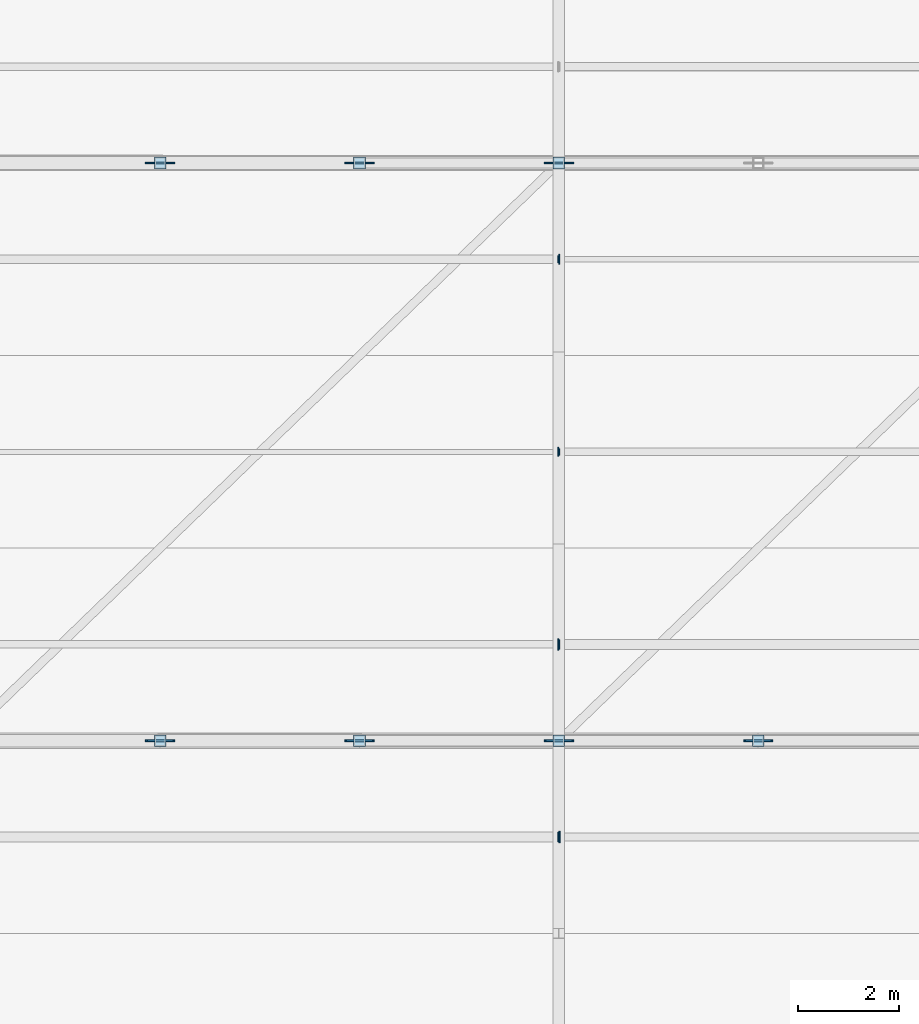
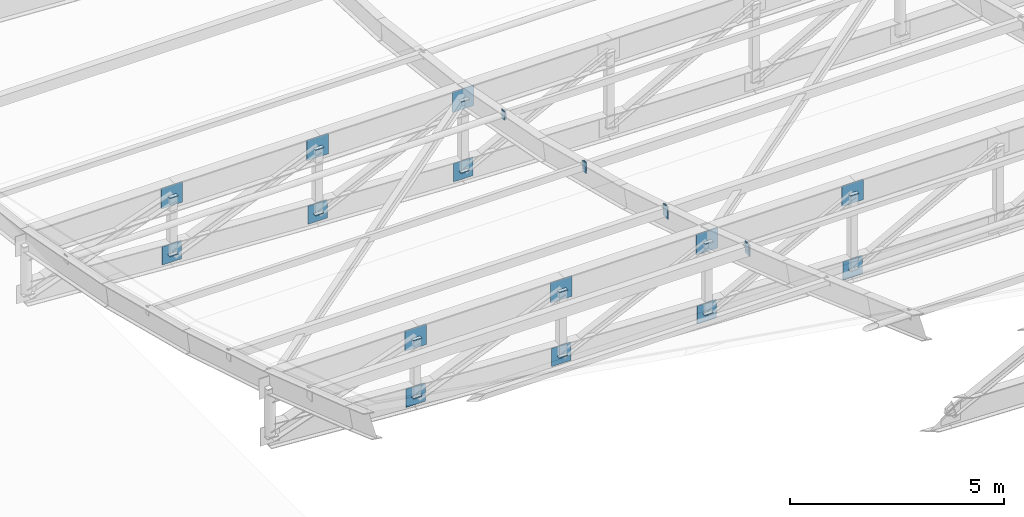
# One storey, part 44 of 65: 36 plates.
"""IFC4 building model written with IfcOpenShell, lengths in metres."""

from ifc_helpers import new_model, si_unit, direction, frame, origin, origin_2d, place, context, subcontext, project, spatial, rectangle, extrude, material, layer, layer_set, type_object, element, save


model = new_model("IFC4")

# Units and contexts
model_context = context("Model", 3, precision=1e-05, world=origin(), true_north=direction((0.0, 1.0)))
body_context = subcontext(model_context, "Body", "Model", "MODEL_VIEW")
ifc_project = project(units=[si_unit("LENGTHUNIT", "METRE"), si_unit("AREAUNIT", "SQUARE_METRE"), si_unit("VOLUMEUNIT", "CUBIC_METRE"), si_unit("PLANEANGLEUNIT", "RADIAN"), si_unit("MASSUNIT", "GRAM", prefix="KILO"), si_unit("POWERUNIT", "WATT"), si_unit("THERMODYNAMICTEMPERATUREUNIT", "KELVIN")], contexts=[model_context])

# Site, building, storey
site_placement = place(None, origin())
site = spatial("IfcSite", under=ifc_project, at=site_placement, CompositionType="ELEMENT")
building_placement = place(site_placement, origin())
building = spatial("IfcBuilding", under=site, at=building_placement, Name="Kelmbourne Parkland Aquatics Centre", CompositionType="ELEMENT")
storey_placement = place(building_placement, frame((0.0, 0.0, 27.0)))
storey = spatial("IfcBuildingStorey", under=building, at=storey_placement, Name="RF", CompositionType="ELEMENT", Elevation=27.0)

# Plates
ifc_material = material(Name="Welded plate steel AS/NZS 3678 Grade 350", Category="steel")
ifc_layer_1 = layer(ifc_material, 0.02001953125)
ifc_layer_set_1 = layer_set([ifc_layer_1], Name="Welded plate steel AS/NZS 3678 Grade 350")
plate_type_1 = type_object("IfcPlateType", Name="PL-CAP-20", PredefinedType="USERDEFINED", material=ifc_layer_set_1)
for number, where, z_axis, x_axis, name in (
    (1, (131.933349609375, 35.0, -11.225341796875), (0.0, 0.0, 1.0), (1.0, 0.0, 0.0), "Hollow end cap plate CAP-0095"),
    (2, (131.933349609375, 35.0, -9.567626953125), (0.0, 0.0, 1.0), (1.0, 0.0, 0.0), "Hollow end cap plate CAP-0096"),
    (3, (135.86669921875, 35.0, -11.43798828125), (0.0, 0.0, 1.0), (1.0, 0.0, 0.0), "Hollow end cap plate CAP-0097"),
    (4, (135.86669921875, 35.0, -9.567626953125), (0.0, 0.0, 1.0), (1.0, 0.0, 0.0), "Hollow end cap plate CAP-0098"),
    (5, (139.800048828125, 35.0, -11.603271484375), (0.0, 0.0, 1.0), (1.0, 0.0, 0.0), "Hollow end cap plate CAP-0099"),
    (6, (139.800048828125, 35.0, -9.567626953125), (0.0, 0.0, 1.0), (1.0, 0.0, 0.0), "Hollow end cap plate CAP-0100"),
    (7, (143.7333984375, 35.0, -11.72119140625), (0.0, 0.0, 1.0), (1.0, 0.0, 0.0), "Hollow end cap plate CAP-0101"),
    (8, (143.7333984375, 35.0, -9.567626953125), (0.0, 0.0, 1.0), (1.0, 0.0, 0.0), "Hollow end cap plate CAP-0102"),
    (9, (131.933349609375, 46.39990234375, -14.07470703125), (0.0, 0.0, 1.0), (1.0, 0.0, 0.0), "Hollow end cap plate CAP-0121"),
    (10, (131.933349609375, 46.39990234375, -12.4169921875), (0.0, 0.0, 1.0), (1.0, 0.0, 0.0), "Hollow end cap plate CAP-0122"),
    (11, (135.86669921875, 46.39990234375, -14.287109375), (0.0, 0.0, 1.0), (1.0, 0.0, 0.0), "Hollow end cap plate CAP-0123"),
    (12, (135.86669921875, 46.39990234375, -12.4169921875), (0.0, 0.0, 1.0), (1.0, 0.0, 0.0), "Hollow end cap plate CAP-0124"),
    (13, (139.800048828125, 46.39990234375, -14.452392578125), (0.0, 0.0, 1.0), (1.0, 0.0, 0.0), "Hollow end cap plate CAP-0125"),
    (14, (139.800048828125, 46.39990234375, -12.4169921875), (0.0, 0.0, 1.0), (1.0, 0.0, 0.0), "Hollow end cap plate CAP-0126"),
):
    element("IfcPlate", number, at=place(storey_placement, frame(where, z_axis=z_axis, x_axis=x_axis)), inside=storey, type_object=plate_type_1, Name=name, ObjectType="END CAP PLATE", PredefinedType="USERDEFINED", context=body_context, shape_type="SweptSolid", body=[
        extrude(rectangle(XDim=0.22998046875, YDim=0.22998046875, at=origin_2d()), origin(), (0.0, 0.0, 1.0), 0.02001953125),
    ])
plate_1_placement = place(storey_placement, frame((139.791015625, 33.10009765625, -8.6572265625), z_axis=(0.0, 0.0, 1.0), x_axis=(-1.0, 0.0, 0.0)))
element("IfcPlate", 15, at=plate_1_placement, inside=storey, type_object=plate_type_1, Name="Hollow end cap plate CAP-0367", ObjectType="END CAP PLATE", PredefinedType="USERDEFINED", context=body_context, shape_type="SweptSolid", body=[
    extrude(rectangle(XDim=0.02001953125, YDim=0.179931640625, at=origin_2d()), origin(), (0.0, 0.0, 1.0), 0.179931640625),
])
plate_2_placement = place(storey_placement, frame((139.80908203125, 36.89990234375, -9.97998046875), z_axis=(0.0, 0.0, 1.0), x_axis=(1.0, 0.0, 0.0)))
element("IfcPlate", 16, at=plate_2_placement, inside=storey, type_object=plate_type_1, Name="Hollow end cap plate CAP-0374", ObjectType="END CAP PLATE", PredefinedType="USERDEFINED", context=body_context, shape_type="SweptSolid", body=[
    extrude(rectangle(XDim=0.02001953125, YDim=0.179931640625, at=origin_2d()), origin(), (0.0, 0.0, 1.0), 0.280029296875),
])
plate_3_placement = place(storey_placement, frame((139.80908203125, 40.699951171875, -10.9912109375), z_axis=(0.0, 0.0, 1.0), x_axis=(1.0, 0.0, 0.0)))
element("IfcPlate", 17, at=plate_3_placement, inside=storey, type_object=plate_type_1, Name="Hollow end cap plate CAP-0382", ObjectType="END CAP PLATE", PredefinedType="USERDEFINED", context=body_context, shape_type="SweptSolid", body=[
    extrude(rectangle(XDim=0.02001953125, YDim=0.1298828125, at=origin_2d()), origin(), (0.0, 0.0, 1.0), 0.22998046875),
])
plate_4_placement = place(storey_placement, frame((139.791015625, 40.699951171875, -11.04150390625), z_axis=(0.0, 0.0, 1.0), x_axis=(-1.0, 0.0, 0.0)))
element("IfcPlate", 18, at=plate_4_placement, inside=storey, type_object=plate_type_1, Name="Hollow end cap plate CAP-0383", ObjectType="END CAP PLATE", PredefinedType="USERDEFINED", context=body_context, shape_type="SweptSolid", body=[
    extrude(rectangle(XDim=0.02001953125, YDim=0.179931640625, at=origin_2d()), origin(), (0.0, 0.0, 1.0), 0.280029296875),
])
plate_5_placement = place(storey_placement, frame((139.80908203125, 44.5, -11.805908203125), z_axis=(0.0, 0.0, 1.0), x_axis=(1.0, 0.0, 0.0)))
element("IfcPlate", 19, at=plate_5_placement, inside=storey, type_object=plate_type_1, Name="Hollow end cap plate CAP-0390", ObjectType="END CAP PLATE", PredefinedType="USERDEFINED", context=body_context, shape_type="SweptSolid", body=[
    extrude(rectangle(XDim=0.02001953125, YDim=0.1982421875, at=origin_2d()), origin(), (0.0, 0.0, 1.0), 0.1982421875),
])
plate_6_placement = place(storey_placement, frame((139.791015625, 44.5, -11.83740234375), z_axis=(0.0, 0.0, 1.0), x_axis=(-1.0, 0.0, 0.0)))
element("IfcPlate", 20, at=plate_6_placement, inside=storey, type_object=plate_type_1, Name="Hollow end cap plate CAP-0391", ObjectType="END CAP PLATE", PredefinedType="USERDEFINED", context=body_context, shape_type="SweptSolid", body=[
    extrude(rectangle(XDim=0.02001953125, YDim=0.1298828125, at=origin_2d()), origin(), (0.0, 0.0, 1.0), 0.22998046875),
])
ifc_layer_2 = layer(ifc_material, 0.02392578125)
ifc_layer_set_2 = layer_set([ifc_layer_2], Name="Welded plate steel AS/NZS 3678 Grade 350")
plate_type_2 = type_object("IfcPlateType", Name="PL-CAP-24", PredefinedType="USERDEFINED", material=ifc_layer_set_2)
for number, where, z_axis, x_axis, name in (
    (21, (139.81103515625, 33.10009765625, -8.80712890625), (0.0, 0.0, 1.0), (1.0, 0.0, 0.0), "Hollow end cap plate CAP-0366"),
    (22, (139.7890625, 36.89990234375, -10.030029296875), (0.0, 0.0, 1.0), (-1.0, 0.0, 0.0), "Hollow end cap plate CAP-0375"),
):
    element("IfcPlate", number, at=place(storey_placement, frame(where, z_axis=z_axis, x_axis=x_axis)), inside=storey, type_object=plate_type_2, Name=name, ObjectType="END CAP PLATE", PredefinedType="USERDEFINED", context=body_context, shape_type="SweptSolid", body=[
        extrude(rectangle(XDim=0.02392578125, YDim=0.22998046875, at=origin_2d()), origin(), (0.0, 0.0, 1.0), 0.330078125),
    ])
ifc_layer_3 = layer(ifc_material, 0.031982421875)
ifc_layer_set_3 = layer_set([ifc_layer_3], Name="Welded plate steel AS/NZS 3678 Grade 350")
plate_type_3 = type_object("IfcPlateType", Name="PL-GUS-3", PredefinedType="USERDEFINED", material=ifc_layer_set_3)
plate_7_placement = place(storey_placement, frame((131.933349609375, 35.0, -9.856689453125), z_axis=(0.0, 0.0, 1.0), x_axis=(1.0, 0.0, 0.0)))
element("IfcPlate", 23, at=plate_7_placement, inside=storey, type_object=plate_type_3, Name="Truss top node TN-3 gusset plate R03-N1", ObjectType="GUSSET PLATE", PredefinedType="USERDEFINED", context=body_context, shape_type="SweptSolid", body=[
    extrude(rectangle(XDim=0.580078125, YDim=0.031982421875, at=origin_2d()), origin(), (0.0, 0.0, 1.0), 0.580078125),
])
plate_8_placement = place(storey_placement, frame((131.933349609375, 35.0, -11.46630859375), z_axis=(0.0, 0.0, 1.0), x_axis=(1.0, 0.0, 0.0)))
element("IfcPlate", 24, at=plate_8_placement, inside=storey, type_object=plate_type_3, Name="Truss bottom node TN-3 gusset plate R03-B1", ObjectType="GUSSET PLATE", PredefinedType="USERDEFINED", context=body_context, shape_type="SweptSolid", body=[
    extrude(rectangle(XDim=0.52001953125, YDim=0.031982421875, at=origin_2d()), origin(), (0.0, 0.0, 1.0), 0.52001953125),
])
plate_9_placement = place(storey_placement, frame((135.86669921875, 35.0, -9.856689453125), z_axis=(0.0, 0.0, 1.0), x_axis=(1.0, 0.0, 0.0)))
element("IfcPlate", 25, at=plate_9_placement, inside=storey, type_object=plate_type_3, Name="Truss top node TN-3 gusset plate R03-N2", ObjectType="GUSSET PLATE", PredefinedType="USERDEFINED", context=body_context, shape_type="SweptSolid", body=[
    extrude(rectangle(XDim=0.580078125, YDim=0.031982421875, at=origin_2d()), origin(), (0.0, 0.0, 1.0), 0.580078125),
])
plate_10_placement = place(storey_placement, frame((135.86669921875, 35.0, -11.678955078125), z_axis=(0.0, 0.0, 1.0), x_axis=(1.0, 0.0, 0.0)))
element("IfcPlate", 26, at=plate_10_placement, inside=storey, type_object=plate_type_3, Name="Truss bottom node TN-3 gusset plate R03-B2", ObjectType="GUSSET PLATE", PredefinedType="USERDEFINED", context=body_context, shape_type="SweptSolid", body=[
    extrude(rectangle(XDim=0.52001953125, YDim=0.031982421875, at=origin_2d()), origin(), (0.0, 0.0, 1.0), 0.52001953125),
])
plate_11_placement = place(storey_placement, frame((139.800048828125, 35.0, -9.856689453125), z_axis=(0.0, 0.0, 1.0), x_axis=(1.0, 0.0, 0.0)))
element("IfcPlate", 27, at=plate_11_placement, inside=storey, type_object=plate_type_3, Name="Truss top node TN-3 gusset plate R03-N3", ObjectType="GUSSET PLATE", PredefinedType="USERDEFINED", context=body_context, shape_type="SweptSolid", body=[
    extrude(rectangle(XDim=0.580078125, YDim=0.031982421875, at=origin_2d()), origin(), (0.0, 0.0, 1.0), 0.580078125),
])
plate_12_placement = place(storey_placement, frame((139.800048828125, 35.0, -11.84423828125), z_axis=(0.0, 0.0, 1.0), x_axis=(1.0, 0.0, 0.0)))
element("IfcPlate", 28, at=plate_12_placement, inside=storey, type_object=plate_type_3, Name="Truss bottom node TN-3 gusset plate R03-B3", ObjectType="GUSSET PLATE", PredefinedType="USERDEFINED", context=body_context, shape_type="SweptSolid", body=[
    extrude(rectangle(XDim=0.52001953125, YDim=0.031982421875, at=origin_2d()), origin(), (0.0, 0.0, 1.0), 0.52001953125),
])
plate_13_placement = place(storey_placement, frame((143.7333984375, 35.0, -9.856689453125), z_axis=(0.0, 0.0, 1.0), x_axis=(1.0, 0.0, 0.0)))
element("IfcPlate", 29, at=plate_13_placement, inside=storey, type_object=plate_type_3, Name="Truss top node TN-3 gusset plate R03-N4", ObjectType="GUSSET PLATE", PredefinedType="USERDEFINED", context=body_context, shape_type="SweptSolid", body=[
    extrude(rectangle(XDim=0.580078125, YDim=0.031982421875, at=origin_2d()), origin(), (0.0, 0.0, 1.0), 0.580078125),
])
plate_14_placement = place(storey_placement, frame((143.7333984375, 35.0, -11.96240234375), z_axis=(0.0, 0.0, 1.0), x_axis=(1.0, 0.0, 0.0)))
element("IfcPlate", 30, at=plate_14_placement, inside=storey, type_object=plate_type_3, Name="Truss bottom node TN-3 gusset plate R03-B4", ObjectType="GUSSET PLATE", PredefinedType="USERDEFINED", context=body_context, shape_type="SweptSolid", body=[
    extrude(rectangle(XDim=0.52001953125, YDim=0.031982421875, at=origin_2d()), origin(), (0.0, 0.0, 1.0), 0.52001953125),
])
plate_15_placement = place(storey_placement, frame((131.933349609375, 46.39990234375, -12.7060546875), z_axis=(0.0, 0.0, 1.0), x_axis=(1.0, 0.0, 0.0)))
element("IfcPlate", 31, at=plate_15_placement, inside=storey, type_object=plate_type_3, Name="Truss top node TN-3 gusset plate R04-N1", ObjectType="GUSSET PLATE", PredefinedType="USERDEFINED", context=body_context, shape_type="SweptSolid", body=[
    extrude(rectangle(XDim=0.580078125, YDim=0.031982421875, at=origin_2d()), origin(), (0.0, 0.0, 1.0), 0.580078125),
])
plate_16_placement = place(storey_placement, frame((131.933349609375, 46.39990234375, -14.315673828125), z_axis=(0.0, 0.0, 1.0), x_axis=(1.0, 0.0, 0.0)))
element("IfcPlate", 32, at=plate_16_placement, inside=storey, type_object=plate_type_3, Name="Truss bottom node TN-3 gusset plate R04-B1", ObjectType="GUSSET PLATE", PredefinedType="USERDEFINED", context=body_context, shape_type="SweptSolid", body=[
    extrude(rectangle(XDim=0.52001953125, YDim=0.031982421875, at=origin_2d()), origin(), (0.0, 0.0, 1.0), 0.52001953125),
])
plate_17_placement = place(storey_placement, frame((135.86669921875, 46.39990234375, -12.7060546875), z_axis=(0.0, 0.0, 1.0), x_axis=(1.0, 0.0, 0.0)))
element("IfcPlate", 33, at=plate_17_placement, inside=storey, type_object=plate_type_3, Name="Truss top node TN-3 gusset plate R04-N2", ObjectType="GUSSET PLATE", PredefinedType="USERDEFINED", context=body_context, shape_type="SweptSolid", body=[
    extrude(rectangle(XDim=0.580078125, YDim=0.031982421875, at=origin_2d()), origin(), (0.0, 0.0, 1.0), 0.580078125),
])
plate_18_placement = place(storey_placement, frame((135.86669921875, 46.39990234375, -14.528076171875), z_axis=(0.0, 0.0, 1.0), x_axis=(1.0, 0.0, 0.0)))
element("IfcPlate", 34, at=plate_18_placement, inside=storey, type_object=plate_type_3, Name="Truss bottom node TN-3 gusset plate R04-B2", ObjectType="GUSSET PLATE", PredefinedType="USERDEFINED", context=body_context, shape_type="SweptSolid", body=[
    extrude(rectangle(XDim=0.52001953125, YDim=0.031982421875, at=origin_2d()), origin(), (0.0, 0.0, 1.0), 0.52001953125),
])
plate_19_placement = place(storey_placement, frame((139.800048828125, 46.39990234375, -12.7060546875), z_axis=(0.0, 0.0, 1.0), x_axis=(1.0, 0.0, 0.0)))
element("IfcPlate", 35, at=plate_19_placement, inside=storey, type_object=plate_type_3, Name="Truss top node TN-3 gusset plate R04-N3", ObjectType="GUSSET PLATE", PredefinedType="USERDEFINED", context=body_context, shape_type="SweptSolid", body=[
    extrude(rectangle(XDim=0.580078125, YDim=0.031982421875, at=origin_2d()), origin(), (0.0, 0.0, 1.0), 0.580078125),
])
plate_20_placement = place(storey_placement, frame((139.800048828125, 46.39990234375, -14.693359375), z_axis=(0.0, 0.0, 1.0), x_axis=(1.0, 0.0, 0.0)))
element("IfcPlate", 36, at=plate_20_placement, inside=storey, type_object=plate_type_3, Name="Truss bottom node TN-3 gusset plate R04-B3", ObjectType="GUSSET PLATE", PredefinedType="USERDEFINED", context=body_context, shape_type="SweptSolid", body=[
    extrude(rectangle(XDim=0.52001953125, YDim=0.031982421875, at=origin_2d()), origin(), (0.0, 0.0, 1.0), 0.52001953125),
])

save(model, "model.ifc")
